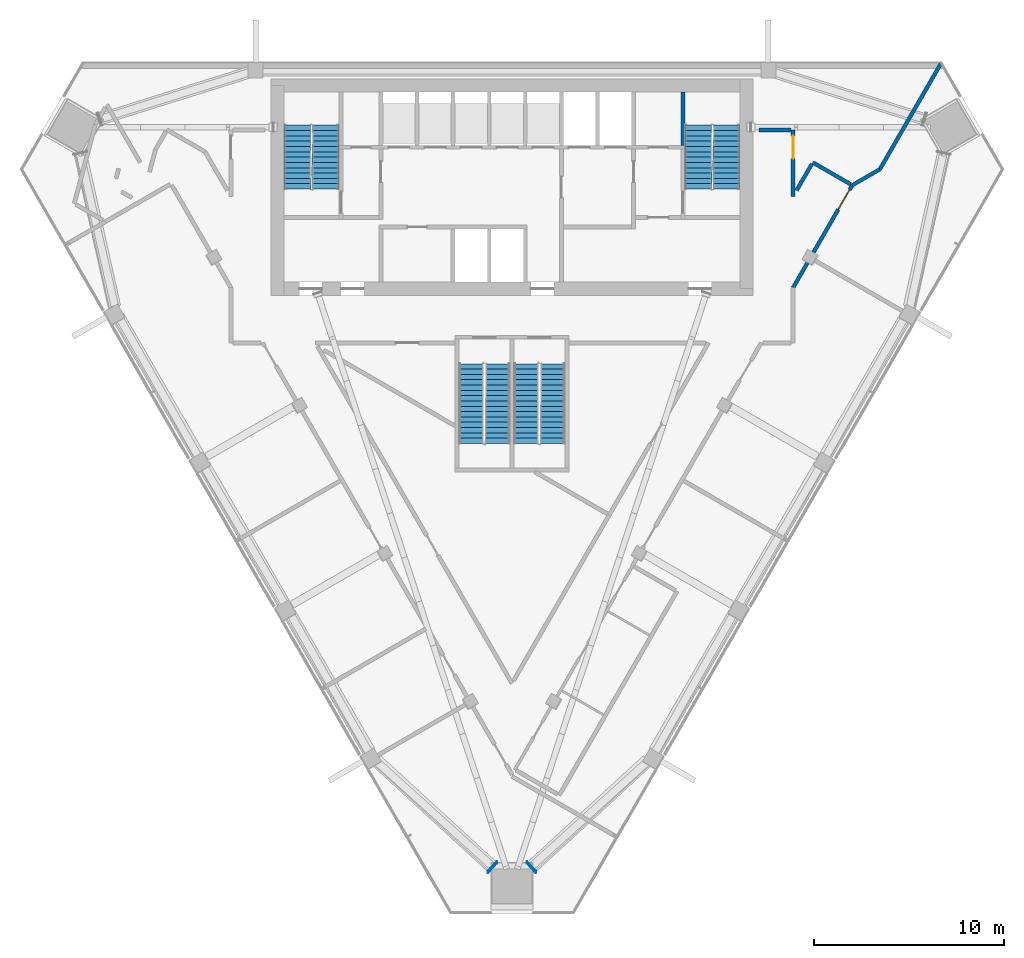
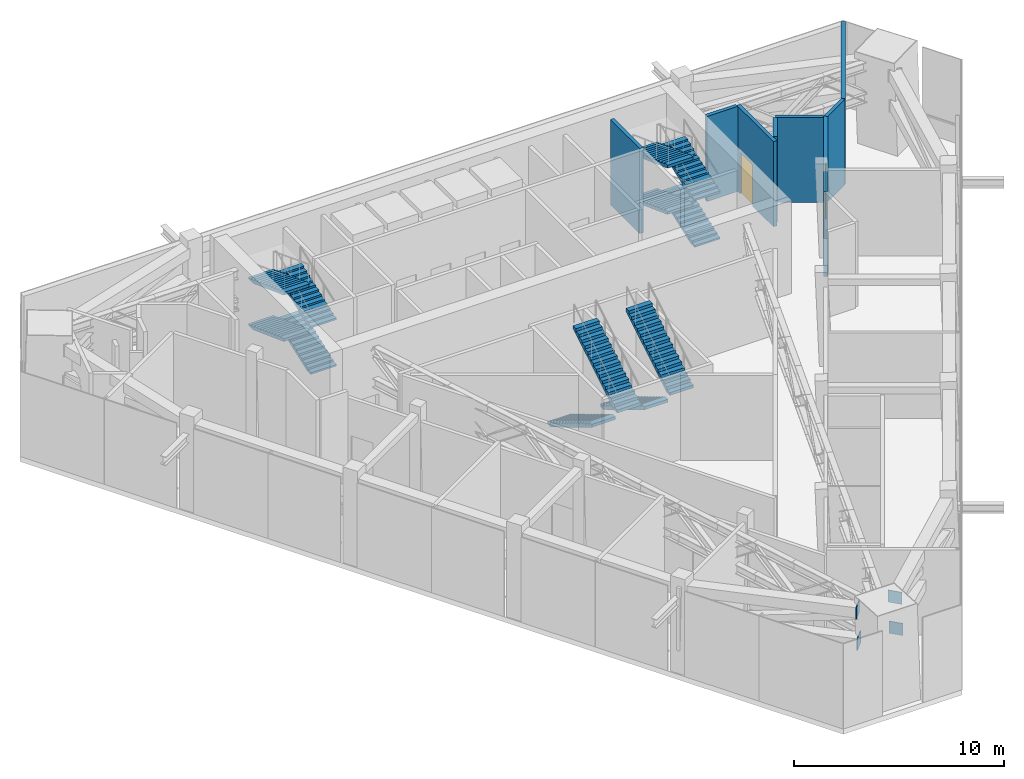
# One storey, part 11 of 14: 12 stair flights, 8 walls, 4 discrete accessories, 2 doors, 2 openings, 4 elements without a shape of their own.
"""IFC4 building model written with IfcOpenShell, lengths in metres."""

import ifcopenshell
import ifcopenshell.guid

model = None  # the IFC model being written
_history = None  # IfcOwnerHistory: only IFC2X3 demands one
_inside = {}  # id of a spatial element -> (the spatial element, [elements in it])
_under = {}  # id of a project, library or spatial element -> (it, [spatial elements below it])
_declared = {}  # id of a project -> (the project, [libraries it declares])
_typed = {}  # id of a type object -> (the type object, [elements of that type])
_made_of = {}  # id of a material, layer set ... -> (it, [elements and type objects made of it])


def new_model(schema):
    """Start an empty IFC model of exactly this schema.

    Asked for "IFC4X3", IfcOpenShell would pick the latest addendum, in which some entities
    have other attributes; the version numbers below select the first issue.
    IFC2X3 requires an IfcOwnerHistory on every rooted entity: one is made here for all.
    """
    global model, _history
    if schema == "IFC4X3":
        model = ifcopenshell.file(schema_version=(4, 3, 0, 0))
    else:
        model = ifcopenshell.file(schema=schema)
    _inside.clear()
    _under.clear()
    _declared.clear()
    _typed.clear()
    _made_of.clear()
    _history = None
    if model.schema == "IFC2X3":
        org = make("IfcOrganization", Name="unknown")
        user = make(
            "IfcPersonAndOrganization",
            ThePerson=make("IfcPerson", FamilyName="unknown"),
            TheOrganization=org,
        )
        app = make(
            "IfcApplication",
            ApplicationDeveloper=org,
            Version="unknown",
            ApplicationFullName="unknown",
            ApplicationIdentifier="unknown",
        )
        _history = make(
            "IfcOwnerHistory",
            OwningUser=user,
            OwningApplication=app,
            ChangeAction="ADDED",
            CreationDate=0,
        )
    return model


def make(cls, **values):
    """One entity of the class cls with the attributes given. An attribute that is None is left unset."""
    return model.create_entity(
        cls, **{name: value for name, value in values.items() if value is not None}
    )


def rooted(cls, **values):
    """An entity with a GlobalId (a new one), such as an element, a storey or a relation."""
    return make(cls, GlobalId=ifcopenshell.guid.new(), OwnerHistory=_history, **values)


def si_unit(unit_type, name, prefix=None):
    """IfcSIUnit, for example si_unit("LENGTHUNIT", "METRE", prefix="MILLI")."""
    return make("IfcSIUnit", UnitType=unit_type, Prefix=prefix, Name=name)


def assignment(units):
    """IfcUnitAssignment: the units of a project."""
    return None if units is None else make("IfcUnitAssignment", Units=units)


def point(xyz):
    """IfcCartesianPoint."""
    return None if xyz is None else make("IfcCartesianPoint", Coordinates=xyz)


def direction(xyz):
    """IfcDirection."""
    return None if xyz is None else make("IfcDirection", DirectionRatios=xyz)


def frame(location, z_axis=None, x_axis=None):
    """IfcAxis2Placement3D, a coordinate frame: its origin and axes. An axis left out is left unset."""
    return make(
        "IfcAxis2Placement3D",
        Location=point(location),
        Axis=direction(z_axis),
        RefDirection=direction(x_axis),
    )


def frame_2d(location, x_axis=None):
    """IfcAxis2Placement2D, a coordinate frame in the plane: its origin and x axis."""
    return make(
        "IfcAxis2Placement2D", Location=point(location), RefDirection=direction(x_axis)
    )


def origin():
    """The frame at (0, 0, 0) with its axes left unset."""
    return frame((0.0, 0.0, 0.0))


def origin_2d():
    """The frame at (0, 0) in the plane with its x axis left unset."""
    return frame_2d((0.0, 0.0))


def place(relative_to, where):
    """IfcLocalPlacement: puts the frame where relative to a parent placement (None: the world)."""
    return make(
        "IfcLocalPlacement", PlacementRelTo=relative_to, RelativePlacement=where
    )


def context(
    kind, dimensions, precision=None, world=None, true_north=None, identifier=None
):
    """IfcGeometricRepresentationContext, for example the 3D "Model" context."""
    return make(
        "IfcGeometricRepresentationContext",
        ContextIdentifier=identifier,
        ContextType=kind,
        CoordinateSpaceDimension=dimensions,
        Precision=precision,
        WorldCoordinateSystem=world,
        TrueNorth=true_north,
    )


def subcontext(parent, identifier, kind, view, scale=None):
    """IfcGeometricRepresentationSubContext, for example "Body" below "Model"."""
    return make(
        "IfcGeometricRepresentationSubContext",
        ContextIdentifier=identifier,
        ContextType=kind,
        ParentContext=parent,
        TargetScale=scale,
        TargetView=view,
    )


def project(units=None, contexts=None):
    """IfcProject with its units and contexts."""
    return rooted(
        "IfcProject",
        Name="project",
        RepresentationContexts=contexts,
        UnitsInContext=assignment(units),
    )


def spatial(cls, under=None, at=None, **own):
    """A site, building, storey or space (cls), placed at a placement, below another one or the project."""
    s = rooted(cls, ObjectPlacement=at, **own)
    if under is not None:
        _under.setdefault(under.id(), (under, []))[1].append(s)
    return s


def polyline(points):
    """IfcPolyline through the points."""
    return make("IfcPolyline", Points=[point(p) for p in points])


def profile(cls, at=None, kind="AREA", **sizes):
    """A parametric profile (cls). Its sizes go by their IFC names, for example OverallWidth=200.0."""
    return make(cls, ProfileType=kind, Position=at, **sizes)


def rectangle(**sizes):
    """IfcRectangleProfileDef."""
    return profile("IfcRectangleProfileDef", **sizes)


def outline(outer, holes=None, kind="AREA"):
    """IfcArbitraryClosedProfileDef: a profile drawn as a closed curve; with holes, ...WithVoids."""
    if holes is None:
        return make("IfcArbitraryClosedProfileDef", ProfileType=kind, OuterCurve=outer)
    return make(
        "IfcArbitraryProfileDefWithVoids",
        ProfileType=kind,
        OuterCurve=outer,
        InnerCurves=holes,
    )


def extrude(swept, where, along, depth):
    """IfcExtrudedAreaSolid: the profile swept, set in the frame where, extruded along a direction by depth."""
    return make(
        "IfcExtrudedAreaSolid",
        SweptArea=swept,
        Position=where,
        ExtrudedDirection=direction(along),
        Depth=depth,
    )


def shape(context_of_items, identifier, shape_type, items):
    """IfcShapeRepresentation: the items that make up one representation, for example the "Body"."""
    return make(
        "IfcShapeRepresentation",
        ContextOfItems=context_of_items,
        RepresentationIdentifier=identifier,
        RepresentationType=shape_type,
        Items=items,
    )


def material(Name=None, Category=None):
    """IfcMaterial."""
    return make("IfcMaterial", Name=Name, Category=Category)


def layer(
    of_material, thickness, ventilated=None, Name=None, Category=None, Priority=None
):
    """IfcMaterialLayer: one layer of a wall or slab, of a material (None: an air gap)."""
    return make(
        "IfcMaterialLayer",
        Material=of_material,
        LayerThickness=thickness,
        IsVentilated=ventilated,
        Name=Name,
        Category=Category,
        Priority=Priority,
    )


def layer_set(layers, Name=None):
    """IfcMaterialLayerSet."""
    return make("IfcMaterialLayerSet", MaterialLayers=layers, LayerSetName=Name)


def material_profile(
    of_material, cross_section, Name=None, Category=None, Priority=None
):
    """IfcMaterialProfile: a cross section and its material."""
    return make(
        "IfcMaterialProfile",
        Name=Name,
        Material=of_material,
        Profile=cross_section,
        Priority=Priority,
        Category=Category,
    )


def profile_set(profiles, Name=None, composite=None):
    """IfcMaterialProfileSet."""
    return make(
        "IfcMaterialProfileSet",
        Name=Name,
        MaterialProfiles=profiles,
        CompositeProfile=composite,
    )


def made_of(thing, what):
    """Note that an element or type object is made of a material, layer set ...; save() writes the relation."""
    if what is not None:
        _made_of.setdefault(what.id(), (what, []))[1].append(thing)
    return thing


def type_object(cls, material=None, **own):
    """A type object (cls), such as IfcWallType, which elements share."""
    return made_of(rooted(cls, **own), material)


def element(
    cls,
    number,
    at=None,
    inside=None,
    cuts=None,
    type_object=None,
    material=None,
    context=None,
    identifier="Body",
    shape_type=None,
    held_by="IfcProductDefinitionShape",
    body=None,
    shapes=None,
    **own,
):
    """One element of the class cls, such as IfcWall. Its Tag is "e" and its number.

    at: its placement. inside: the storey or other place that contains it. cuts: it is an
    opening in that element (IfcRelVoidsElement). A single representation is given by context,
    identifier, shape_type and body (its items); several are given by shapes. held_by: the class
    of the entity that holds the representations. save() writes the other relations.
    """
    e = rooted(cls, Tag="e%d" % number, ObjectPlacement=at, **own)
    if body is not None:
        shapes = [shape(context, identifier, shape_type, body)]
    if shapes is not None:
        e.Representation = make(held_by, Representations=shapes)
    if inside is not None:
        _inside.setdefault(inside.id(), (inside, []))[1].append(e)
    if cuts is not None:
        rooted(
            "IfcRelVoidsElement", RelatingBuildingElement=cuts, RelatedOpeningElement=e
        )
    if type_object is not None:
        _typed.setdefault(type_object.id(), (type_object, []))[1].append(e)
    return made_of(e, material)


def fill(opening, filler):
    """IfcRelFillsElement: the door or window that sits in an opening."""
    return rooted(
        "IfcRelFillsElement",
        RelatingOpeningElement=opening,
        RelatedBuildingElement=filler,
    )


def aggregate(whole, parts):
    """IfcRelAggregates: a whole, such as a stair, and the parts it consists of."""
    return rooted("IfcRelAggregates", RelatingObject=whole, RelatedObjects=parts)


def save(model, path):
    """Write the relations noted so far, then the file.

    IfcRelAggregates (storeys below a building ...), IfcRelContainedInSpatialStructure (elements
    in a storey), IfcRelDefinesByType, IfcRelAssociatesMaterial and IfcRelDeclares: one each for
    every whole, place, type object, material and project.
    """
    for whole, parts in _under.values():
        aggregate(whole, parts)
    for where, things in _inside.values():
        rooted(
            "IfcRelContainedInSpatialStructure",
            RelatedElements=things,
            RelatingStructure=where,
        )
    for kind, things in _typed.values():
        rooted("IfcRelDefinesByType", RelatedObjects=things, RelatingType=kind)
    for what, things in _made_of.values():
        rooted("IfcRelAssociatesMaterial", RelatedObjects=things, RelatingMaterial=what)
    for by, libraries in _declared.values():
        rooted("IfcRelDeclares", RelatingContext=by, RelatedDefinitions=libraries)
    model.write(path)


model = new_model("IFC4")

# Units and contexts
model_context = context("Model", 3, precision=1e-05, world=origin(), true_north=direction((0.0, 1.0)))
body_context = subcontext(model_context, "Body", "Model", "MODEL_VIEW")
ifc_project = project(units=[si_unit("LENGTHUNIT", "METRE"), si_unit("AREAUNIT", "SQUARE_METRE"), si_unit("VOLUMEUNIT", "CUBIC_METRE"), si_unit("PLANEANGLEUNIT", "RADIAN"), si_unit("MASSUNIT", "GRAM", prefix="KILO")], contexts=[model_context])

# Site, building, storey
site_placement = place(None, origin())
site = spatial("IfcSite", under=ifc_project, at=site_placement, CompositionType="ELEMENT")
building_placement = place(site_placement, origin())
building = spatial("IfcBuilding", under=site, at=building_placement, Name="Altiplano Prism Tower", CompositionType="ELEMENT")
storey_placement = place(building_placement, frame((0.0, 0.0, 189.0)))
storey = spatial("IfcBuildingStorey", under=building, at=storey_placement, Name="L49", CompositionType="ELEMENT", Elevation=189.0)

# Wall, opening, door
ifc_material_1 = material(Name="Plasterboard on steel stud", Category="steel")
ifc_layer_1 = layer(ifc_material_1, 0.199951171875)
ifc_layer_set_1 = layer_set([ifc_layer_1], Name="Plasterboard on steel stud")
wall_type_1 = type_object("IfcWallType", Name="Partition 200 plant", PredefinedType="PARTITIONING", material=ifc_layer_set_1)
wall_1_placement = place(storey_placement, frame((99.800048828125, 93.103515625, 0.0), z_axis=(0.0, 0.0, 1.0), x_axis=(0.500007335828, 0.866021168401, 0.0)))
wall_1 = element("IfcWall", 1, at=wall_1_placement, inside=storey, type_object=wall_type_1, Name="Partition P04 L49 009", PredefinedType="PARTITIONING", context=body_context, shape_type="SweptSolid", body=[
    extrude(rectangle(XDim=6.2314453125, YDim=0.199951171875, at=frame_2d((3.11572265625, 0.0))), origin(), (0.0, 0.0, 1.0), 4.949951171875),
])
opening_1_placement = place(wall_1_placement, frame((4.7548828125, 0.0, 0.0)))
opening_1 = element("IfcOpeningElement", 2, at=opening_1_placement, cuts=wall_1, Name="Opening D1728", PredefinedType="OPENING", context=body_context, shape_type="SweptSolid", body=[
    extrude(rectangle(XDim=1.199951171875, YDim=2.39990234375, at=frame_2d((0.60009765625, 1.199951171875))), frame((0.0, 0.1103515625, 0.0), z_axis=(0.0, -1.0, 0.0), x_axis=(1.0, 0.0, 0.0)), (0.0, 0.0, 1.0), 0.220947265625),
])
ifc_material_2 = material(Name="Painted steel door leaf", Category="steel")
door_type_1 = type_object("IfcDoorType", Name="Plant room door 1200 x 2400", OperationType="NOTDEFINED", PredefinedType="NOTDEFINED", material=ifc_material_2)
door_1_placement = place(opening_1_placement, origin())
door_1 = element("IfcDoor", 3, at=door_1_placement, inside=storey, type_object=door_type_1, Name="Door D1728", OperationType="SINGLE_SWING_RIGHT", OverallHeight=2.39990234375, OverallWidth=1.199951171875, PredefinedType="NOTDEFINED", context=body_context, shape_type="SweptSolid", body=[
    extrude(rectangle(XDim=1.199951171875, YDim=2.39990234375, at=frame_2d((0.60009765625, 1.199951171875))), frame((0.0, 0.02490234375, 0.0), z_axis=(0.0, -1.0, 0.0), x_axis=(1.0, 0.0, 0.0)), (0.0, 0.0, 1.0), 0.050048828125),
])
fill(opening_1, door_1)

# Walls
ifc_layer_2 = layer(ifc_material_1, 0.199951171875)
ifc_layer_set_2 = layer_set([ifc_layer_2], Name="Plasterboard on steel stud")
wall_type_2 = type_object("IfcWallType", Name="Partition 200 refuge", PredefinedType="PARTITIONING", material=ifc_layer_set_2)
wall_2_placement = place(storey_placement, frame((102.82958984375, 98.55078125, 0.0), z_axis=(0.0, 0.0, 1.0), x_axis=(-0.866060120656, 0.499939863793, 0.0)))
element("IfcWall", 4, at=wall_2_placement, inside=storey, type_object=wall_type_2, Name="Partition P05 L49 010", PredefinedType="PARTITIONING", context=body_context, shape_type="SweptSolid", body=[
    extrude(rectangle(XDim=2.300537109375, YDim=0.199951171875, at=frame_2d((1.150390625, 0.0))), origin(), (0.0, 0.0, 1.0), 4.949951171875),
])
wall_3_placement = place(storey_placement, frame((100.787109375, 99.614501953125, 0.0), z_axis=(0.0, 0.0, 1.0), x_axis=(-0.500163094741, -0.865931220513, 0.0)))
element("IfcWall", 5, at=wall_3_placement, inside=storey, type_object=wall_type_2, Name="Partition P05 L49 011", PredefinedType="PARTITIONING", context=body_context, shape_type="SweptSolid", body=[
    extrude(rectangle(XDim=1.5986328125, YDim=0.199951171875, at=frame_2d((0.79931640625, 0.0))), origin(), (0.0, 0.0, 1.0), 4.949951171875),
])

# Wall, opening, door
wall_4_placement = place(storey_placement, frame((99.801025390625, 97.9072265625, 0.0), z_axis=(0.0, 0.0, 1.0), x_axis=(-6.989097e-05, 0.999999997558, 0.0)))
wall_4 = element("IfcWall", 6, at=wall_4_placement, inside=storey, type_object=wall_type_2, Name="Partition P05 L49 012", PredefinedType="PARTITIONING", context=body_context, shape_type="SweptSolid", body=[
    extrude(rectangle(XDim=3.4931640625, YDim=0.199951171875, at=frame_2d((1.74658203125, 0.0))), origin(), (0.0, 0.0, 1.0), 4.949951171875),
])
opening_2_placement = place(wall_4_placement, frame((1.9951171875, 0.0, 0.0)))
opening_2 = element("IfcOpeningElement", 7, at=opening_2_placement, cuts=wall_4, Name="Opening D1729", PredefinedType="OPENING", context=body_context, shape_type="SweptSolid", body=[
    extrude(rectangle(XDim=1.199951171875, YDim=2.39990234375, at=frame_2d((0.60009765625, 1.199951171875))), frame((0.0, 0.1103515625, 0.0), z_axis=(0.0, -1.0, 0.0), x_axis=(1.0, 0.0, 0.0)), (0.0, 0.0, 1.0), 0.220947265625),
])
door_type_2 = type_object("IfcDoorType", Name="Refuge area door 1200 x 2400", OperationType="NOTDEFINED", PredefinedType="NOTDEFINED", material=ifc_material_2)
door_2_placement = place(opening_2_placement, origin())
door_2 = element("IfcDoor", 8, at=door_2_placement, inside=storey, type_object=door_type_2, Name="Door D1729", OperationType="SINGLE_SWING_RIGHT", OverallHeight=2.39990234375, OverallWidth=1.199951171875, PredefinedType="NOTDEFINED", context=body_context, shape_type="SweptSolid", body=[
    extrude(rectangle(XDim=1.199951171875, YDim=2.39990234375, at=frame_2d((0.60009765625, 1.199951171875))), frame((0.0, 0.02490234375, 0.0), z_axis=(0.0, -1.0, 0.0), x_axis=(1.0, 0.0, 0.0)), (0.0, 0.0, 1.0), 0.050048828125),
])
fill(opening_2, door_2)

# Walls
wall_5_placement = place(storey_placement, frame((99.700927734375, 101.400390625, 0.0), z_axis=(0.0, 0.0, 1.0), x_axis=(-0.999999958796, 0.000287067593, 0.0)))
element("IfcWall", 9, at=wall_5_placement, inside=storey, type_object=wall_type_2, Name="Partition P05 L49 013", PredefinedType="PARTITIONING", context=body_context, shape_type="SweptSolid", body=[
    extrude(rectangle(XDim=1.700927734375, YDim=0.199951171875, at=frame_2d((0.8505859375, 0.0))), origin(), (0.0, 0.0, 1.0), 4.949951171875),
])
wall_6_placement = place(storey_placement, frame((107.579833984375, 104.89990234375, 0.0), z_axis=(0.0, 0.0, 1.0), x_axis=(-0.500007707388, -0.866020953876, 0.0)))
element("IfcWall", 10, at=wall_6_placement, inside=storey, type_object=wall_type_2, Name="Partition P05 L49 042", PredefinedType="PARTITIONING", context=body_context, shape_type="SweptSolid", body=[
    extrude(rectangle(XDim=6.4208984375, YDim=0.199951171875, at=frame_2d((3.21044921875, 0.0))), origin(), (0.0, 0.0, 1.0), 4.949951171875),
])
wall_7_placement = place(storey_placement, frame((104.369384765625, 99.33935546875, 0.0), z_axis=(0.0, 0.0, 1.0), x_axis=(-0.865977131537, -0.500083600666, 0.0)))
element("IfcWall", 11, at=wall_7_placement, inside=storey, type_object=wall_type_2, Name="Partition P05 L49 043", PredefinedType="PARTITIONING", context=body_context, shape_type="SweptSolid", body=[
    extrude(rectangle(XDim=1.677490234375, YDim=0.199951171875, at=frame_2d((0.8388671875, 0.0))), origin(), (0.0, 0.0, 1.0), 4.949951171875),
])
ifc_material_3 = material(Name="Concrete C60/75", Category="concrete")
ifc_layer_3 = layer(ifc_material_3, 0.199951171875)
ifc_layer_set_3 = layer_set([ifc_layer_3], Name="Concrete C60/75")
wall_type_3 = type_object("IfcWallType", Name="Stair wall 200", PredefinedType="SOLIDWALL", material=ifc_layer_set_3)
wall_8_placement = place(storey_placement, frame((94.0, 100.60009765625, 0.0), z_axis=(0.0, 0.0, 1.0), x_axis=(0.0, 1.0, 0.0)))
element("IfcWall", 12, at=wall_8_placement, inside=storey, type_object=wall_type_3, Name="Stair wall L49", PredefinedType="SOLIDWALL", context=body_context, shape_type="SweptSolid", body=[
    extrude(rectangle(XDim=2.7998046875, YDim=0.199951171875, at=frame_2d((1.39990234375, 0.0))), origin(), (0.0, 0.0, 1.0), 4.949951171875),
])

# Stair, stair flights
ifc_material_4 = material(Name="Concrete C40/50", Category="concrete")
stair_type_1 = type_object("IfcStairType", Name="Exit stair 1400", PredefinedType="HALF_TURN_STAIR", material=ifc_material_4)
stair_1_placement = place(storey_placement, origin())
stair_1 = element("IfcStair", 13, at=stair_1_placement, inside=storey, type_object=stair_type_1, Name="L49 Exit Stair 1", PredefinedType="HALF_TURN_STAIR")
stair_flight_type = type_object("IfcStairFlightType", Name="Stair flight concrete 150", PredefinedType="STRAIGHT", material=ifc_material_4)
stair_flight_1_placement = place(storey_placement, frame((75.199951171875, 98.300048828125, 0.0), z_axis=(0.0, 0.0, 1.0), x_axis=(0.0, 1.0, 0.0)))
stair_flight_1 = element("IfcStairFlight", 14, at=stair_flight_1_placement, type_object=stair_flight_type, Name="ST1 flight 1", NumberOfRisers=13, NumberOfTreads=12, PredefinedType="STRAIGHT", RiserHeight=0.103846154, TreadLength=0.28, context=body_context, shape_type="SweptSolid", body=[
    extrude(outline(polyline([(0.0, 0.0), (0.0, 0.103759765625), (0.280029296875, 0.103759765625), (0.280029296875, 0.207763671875), (0.56005859375, 0.207763671875), (0.56005859375, 0.3115234375), (0.840087890625, 0.3115234375), (0.840087890625, 0.415283203125), (1.1201171875, 0.415283203125), (1.1201171875, 0.519287109375), (1.39990234375, 0.519287109375), (1.39990234375, 0.623046875), (1.679931640625, 0.623046875), (1.679931640625, 0.726806640625), (1.9599609375, 0.726806640625), (1.9599609375, 0.830810546875), (2.239990234375, 0.830810546875), (2.239990234375, 0.9345703125), (2.52001953125, 0.9345703125), (2.52001953125, 1.03857421875), (2.800048828125, 1.03857421875), (2.800048828125, 1.142333984375), (3.080078125, 1.142333984375), (3.080078125, 1.24609375), (3.360107421875, 1.24609375), (3.360107421875, 1.35009765625), (3.360107421875, 1.086181640625), (0.43115234375, 0.0), (0.0, 0.0)])), frame((0.0, 0.699951171875, 0.0), z_axis=(0.0, -1.0, 0.0), x_axis=(1.0, 0.0, 0.0)), (0.0, 0.0, 1.0), 1.39990234375),
])
stair_flight_2_placement = place(storey_placement, frame((73.699951171875, 101.659912109375, 1.35009765625), z_axis=(0.0, 0.0, 1.0), x_axis=(0.0, -1.0, 0.0)))
stair_flight_2 = element("IfcStairFlight", 15, at=stair_flight_2_placement, type_object=stair_flight_type, Name="ST1 flight 2", NumberOfRisers=13, NumberOfTreads=12, PredefinedType="STRAIGHT", RiserHeight=0.103846154, TreadLength=0.28, context=body_context, shape_type="SweptSolid", body=[
    extrude(outline(polyline([(0.0, 0.0), (0.0, 0.103759765625), (0.280029296875, 0.103759765625), (0.280029296875, 0.207763671875), (0.56005859375, 0.207763671875), (0.56005859375, 0.3115234375), (0.840087890625, 0.3115234375), (0.840087890625, 0.415283203125), (1.1201171875, 0.415283203125), (1.1201171875, 0.519287109375), (1.39990234375, 0.519287109375), (1.39990234375, 0.623046875), (1.679931640625, 0.623046875), (1.679931640625, 0.726806640625), (1.9599609375, 0.726806640625), (1.9599609375, 0.830810546875), (2.239990234375, 0.830810546875), (2.239990234375, 0.9345703125), (2.52001953125, 0.9345703125), (2.52001953125, 1.03857421875), (2.800048828125, 1.03857421875), (2.800048828125, 1.142333984375), (3.080078125, 1.142333984375), (3.080078125, 1.24609375), (3.360107421875, 1.24609375), (3.360107421875, 1.35009765625), (3.360107421875, 1.086181640625), (0.43115234375, 0.0), (0.0, 0.0)])), frame((0.0, 0.699951171875, 0.0), z_axis=(0.0, -1.0, 0.0), x_axis=(1.0, 0.0, 0.0)), (0.0, 0.0, 1.0), 1.39990234375),
])
stair_flight_3_placement = place(storey_placement, frame((75.199951171875, 98.300048828125, 2.699951171875), z_axis=(0.0, 0.0, 1.0), x_axis=(0.0, 1.0, 0.0)))
stair_flight_3 = element("IfcStairFlight", 16, at=stair_flight_3_placement, type_object=stair_flight_type, Name="ST1 flight 3", NumberOfRisers=13, NumberOfTreads=12, PredefinedType="STRAIGHT", RiserHeight=0.103846154, TreadLength=0.28, context=body_context, shape_type="SweptSolid", body=[
    extrude(outline(polyline([(0.0, 0.0), (0.0, 0.103759765625), (0.280029296875, 0.103759765625), (0.280029296875, 0.207763671875), (0.56005859375, 0.207763671875), (0.56005859375, 0.3115234375), (0.840087890625, 0.3115234375), (0.840087890625, 0.415283203125), (1.1201171875, 0.415283203125), (1.1201171875, 0.519287109375), (1.39990234375, 0.519287109375), (1.39990234375, 0.623046875), (1.679931640625, 0.623046875), (1.679931640625, 0.726806640625), (1.9599609375, 0.726806640625), (1.9599609375, 0.830810546875), (2.239990234375, 0.830810546875), (2.239990234375, 0.9345703125), (2.52001953125, 0.9345703125), (2.52001953125, 1.03857421875), (2.800048828125, 1.03857421875), (2.800048828125, 1.142333984375), (3.080078125, 1.142333984375), (3.080078125, 1.24609375), (3.360107421875, 1.24609375), (3.360107421875, 1.35009765625), (3.360107421875, 1.086181640625), (0.43115234375, 0.0), (0.0, 0.0)])), frame((0.0, 0.699951171875, 0.0), z_axis=(0.0, -1.0, 0.0), x_axis=(1.0, 0.0, 0.0)), (0.0, 0.0, 1.0), 1.39990234375),
])
stair_flight_4_placement = place(storey_placement, frame((73.699951171875, 101.659912109375, 4.050048828125), z_axis=(0.0, 0.0, 1.0), x_axis=(0.0, -1.0, 0.0)))
stair_flight_4 = element("IfcStairFlight", 17, at=stair_flight_4_placement, type_object=stair_flight_type, Name="ST1 flight 4", NumberOfRisers=13, NumberOfTreads=12, PredefinedType="STRAIGHT", RiserHeight=0.103846154, TreadLength=0.28, context=body_context, shape_type="SweptSolid", body=[
    extrude(outline(polyline([(0.0, 0.0), (0.0, 0.103759765625), (0.280029296875, 0.103759765625), (0.280029296875, 0.207763671875), (0.56005859375, 0.207763671875), (0.56005859375, 0.3115234375), (0.840087890625, 0.3115234375), (0.840087890625, 0.415283203125), (1.1201171875, 0.415283203125), (1.1201171875, 0.519287109375), (1.39990234375, 0.519287109375), (1.39990234375, 0.623046875), (1.679931640625, 0.623046875), (1.679931640625, 0.726806640625), (1.9599609375, 0.726806640625), (1.9599609375, 0.830810546875), (2.239990234375, 0.830810546875), (2.239990234375, 0.9345703125), (2.52001953125, 0.9345703125), (2.52001953125, 1.03857421875), (2.800048828125, 1.03857421875), (2.800048828125, 1.142333984375), (3.080078125, 1.142333984375), (3.080078125, 1.24609375), (3.360107421875, 1.24609375), (3.360107421875, 1.35009765625), (3.360107421875, 1.086181640625), (0.43115234375, 0.0), (0.0, 0.0)])), frame((0.0, 0.699951171875, 0.0), z_axis=(0.0, -1.0, 0.0), x_axis=(1.0, 0.0, 0.0)), (0.0, 0.0, 1.0), 1.39990234375),
])
aggregate(stair_1, [stair_flight_1, stair_flight_2, stair_flight_3, stair_flight_4])

stair_2_placement = place(storey_placement, origin())
stair_2 = element("IfcStair", 18, at=stair_2_placement, inside=storey, type_object=stair_type_1, Name="L49 Exit Stair 2", PredefinedType="HALF_TURN_STAIR")
stair_flight_5_placement = place(storey_placement, frame((96.300048828125, 98.300048828125, 0.0), z_axis=(0.0, 0.0, 1.0), x_axis=(0.0, 1.0, 0.0)))
stair_flight_5 = element("IfcStairFlight", 19, at=stair_flight_5_placement, type_object=stair_flight_type, Name="ST2 flight 1", NumberOfRisers=13, NumberOfTreads=12, PredefinedType="STRAIGHT", RiserHeight=0.103846154, TreadLength=0.28, context=body_context, shape_type="SweptSolid", body=[
    extrude(outline(polyline([(0.0, 0.0), (0.0, 0.103759765625), (0.280029296875, 0.103759765625), (0.280029296875, 0.207763671875), (0.56005859375, 0.207763671875), (0.56005859375, 0.3115234375), (0.840087890625, 0.3115234375), (0.840087890625, 0.415283203125), (1.1201171875, 0.415283203125), (1.1201171875, 0.519287109375), (1.39990234375, 0.519287109375), (1.39990234375, 0.623046875), (1.679931640625, 0.623046875), (1.679931640625, 0.726806640625), (1.9599609375, 0.726806640625), (1.9599609375, 0.830810546875), (2.239990234375, 0.830810546875), (2.239990234375, 0.9345703125), (2.52001953125, 0.9345703125), (2.52001953125, 1.03857421875), (2.800048828125, 1.03857421875), (2.800048828125, 1.142333984375), (3.080078125, 1.142333984375), (3.080078125, 1.24609375), (3.360107421875, 1.24609375), (3.360107421875, 1.35009765625), (3.360107421875, 1.086181640625), (0.43115234375, 0.0), (0.0, 0.0)])), frame((0.0, 0.699951171875, 0.0), z_axis=(0.0, -1.0, 0.0), x_axis=(1.0, 0.0, 0.0)), (0.0, 0.0, 1.0), 1.39990234375),
])
stair_flight_6_placement = place(storey_placement, frame((94.800048828125, 101.659912109375, 1.35009765625), z_axis=(0.0, 0.0, 1.0), x_axis=(0.0, -1.0, 0.0)))
stair_flight_6 = element("IfcStairFlight", 20, at=stair_flight_6_placement, type_object=stair_flight_type, Name="ST2 flight 2", NumberOfRisers=13, NumberOfTreads=12, PredefinedType="STRAIGHT", RiserHeight=0.103846154, TreadLength=0.28, context=body_context, shape_type="SweptSolid", body=[
    extrude(outline(polyline([(0.0, 0.0), (0.0, 0.103759765625), (0.280029296875, 0.103759765625), (0.280029296875, 0.207763671875), (0.56005859375, 0.207763671875), (0.56005859375, 0.3115234375), (0.840087890625, 0.3115234375), (0.840087890625, 0.415283203125), (1.1201171875, 0.415283203125), (1.1201171875, 0.519287109375), (1.39990234375, 0.519287109375), (1.39990234375, 0.623046875), (1.679931640625, 0.623046875), (1.679931640625, 0.726806640625), (1.9599609375, 0.726806640625), (1.9599609375, 0.830810546875), (2.239990234375, 0.830810546875), (2.239990234375, 0.9345703125), (2.52001953125, 0.9345703125), (2.52001953125, 1.03857421875), (2.800048828125, 1.03857421875), (2.800048828125, 1.142333984375), (3.080078125, 1.142333984375), (3.080078125, 1.24609375), (3.360107421875, 1.24609375), (3.360107421875, 1.35009765625), (3.360107421875, 1.086181640625), (0.43115234375, 0.0), (0.0, 0.0)])), frame((0.0, 0.699951171875, 0.0), z_axis=(0.0, -1.0, 0.0), x_axis=(1.0, 0.0, 0.0)), (0.0, 0.0, 1.0), 1.39990234375),
])
stair_flight_7_placement = place(storey_placement, frame((96.300048828125, 98.300048828125, 2.699951171875), z_axis=(0.0, 0.0, 1.0), x_axis=(0.0, 1.0, 0.0)))
stair_flight_7 = element("IfcStairFlight", 21, at=stair_flight_7_placement, type_object=stair_flight_type, Name="ST2 flight 3", NumberOfRisers=13, NumberOfTreads=12, PredefinedType="STRAIGHT", RiserHeight=0.103846154, TreadLength=0.28, context=body_context, shape_type="SweptSolid", body=[
    extrude(outline(polyline([(0.0, 0.0), (0.0, 0.103759765625), (0.280029296875, 0.103759765625), (0.280029296875, 0.207763671875), (0.56005859375, 0.207763671875), (0.56005859375, 0.3115234375), (0.840087890625, 0.3115234375), (0.840087890625, 0.415283203125), (1.1201171875, 0.415283203125), (1.1201171875, 0.519287109375), (1.39990234375, 0.519287109375), (1.39990234375, 0.623046875), (1.679931640625, 0.623046875), (1.679931640625, 0.726806640625), (1.9599609375, 0.726806640625), (1.9599609375, 0.830810546875), (2.239990234375, 0.830810546875), (2.239990234375, 0.9345703125), (2.52001953125, 0.9345703125), (2.52001953125, 1.03857421875), (2.800048828125, 1.03857421875), (2.800048828125, 1.142333984375), (3.080078125, 1.142333984375), (3.080078125, 1.24609375), (3.360107421875, 1.24609375), (3.360107421875, 1.35009765625), (3.360107421875, 1.086181640625), (0.43115234375, 0.0), (0.0, 0.0)])), frame((0.0, 0.699951171875, 0.0), z_axis=(0.0, -1.0, 0.0), x_axis=(1.0, 0.0, 0.0)), (0.0, 0.0, 1.0), 1.39990234375),
])
stair_flight_8_placement = place(storey_placement, frame((94.800048828125, 101.659912109375, 4.050048828125), z_axis=(0.0, 0.0, 1.0), x_axis=(0.0, -1.0, 0.0)))
stair_flight_8 = element("IfcStairFlight", 22, at=stair_flight_8_placement, type_object=stair_flight_type, Name="ST2 flight 4", NumberOfRisers=13, NumberOfTreads=12, PredefinedType="STRAIGHT", RiserHeight=0.103846154, TreadLength=0.28, context=body_context, shape_type="SweptSolid", body=[
    extrude(outline(polyline([(0.0, 0.0), (0.0, 0.103759765625), (0.280029296875, 0.103759765625), (0.280029296875, 0.207763671875), (0.56005859375, 0.207763671875), (0.56005859375, 0.3115234375), (0.840087890625, 0.3115234375), (0.840087890625, 0.415283203125), (1.1201171875, 0.415283203125), (1.1201171875, 0.519287109375), (1.39990234375, 0.519287109375), (1.39990234375, 0.623046875), (1.679931640625, 0.623046875), (1.679931640625, 0.726806640625), (1.9599609375, 0.726806640625), (1.9599609375, 0.830810546875), (2.239990234375, 0.830810546875), (2.239990234375, 0.9345703125), (2.52001953125, 0.9345703125), (2.52001953125, 1.03857421875), (2.800048828125, 1.03857421875), (2.800048828125, 1.142333984375), (3.080078125, 1.142333984375), (3.080078125, 1.24609375), (3.360107421875, 1.24609375), (3.360107421875, 1.35009765625), (3.360107421875, 1.086181640625), (0.43115234375, 0.0), (0.0, 0.0)])), frame((0.0, 0.699951171875, 0.0), z_axis=(0.0, -1.0, 0.0), x_axis=(1.0, 0.0, 0.0)), (0.0, 0.0, 1.0), 1.39990234375),
])
aggregate(stair_2, [stair_flight_5, stair_flight_6, stair_flight_7, stair_flight_8])

stair_type_2 = type_object("IfcStairType", Name="Exit stair 1300", PredefinedType="HALF_TURN_STAIR", material=ifc_material_4)
stair_3_placement = place(storey_placement, origin())
stair_3 = element("IfcStair", 23, at=stair_3_placement, inside=storey, type_object=stair_type_2, Name="L49 Exit Stair 3A", PredefinedType="HALF_TURN_STAIR")
stair_flight_9_placement = place(storey_placement, frame((82.85009765625, 89.10009765625, 0.0), z_axis=(0.0, 0.0, 1.0), x_axis=(0.0, -1.0, 0.0)))
stair_flight_9 = element("IfcStairFlight", 24, at=stair_flight_9_placement, type_object=stair_flight_type, Name="ST3A flight 1", NumberOfRisers=16, NumberOfTreads=15, PredefinedType="STRAIGHT", RiserHeight=0.16875, TreadLength=0.28, context=body_context, shape_type="SweptSolid", body=[
    extrude(outline(polyline([(0.0, 0.0), (0.0, 0.168701171875), (0.280029296875, 0.168701171875), (0.280029296875, 0.33740234375), (0.56005859375, 0.33740234375), (0.56005859375, 0.50634765625), (0.840087890625, 0.50634765625), (0.840087890625, 0.675048828125), (1.1201171875, 0.675048828125), (1.1201171875, 0.84375), (1.39990234375, 0.84375), (1.39990234375, 1.012451171875), (1.679931640625, 1.012451171875), (1.679931640625, 1.18115234375), (1.9599609375, 1.18115234375), (1.9599609375, 1.35009765625), (2.239990234375, 1.35009765625), (2.239990234375, 1.518798828125), (2.52001953125, 1.518798828125), (2.52001953125, 1.6875), (2.800048828125, 1.6875), (2.800048828125, 1.856201171875), (3.080078125, 1.856201171875), (3.080078125, 2.02490234375), (3.360107421875, 2.02490234375), (3.360107421875, 2.19384765625), (3.639892578125, 2.19384765625), (3.639892578125, 2.362548828125), (3.919921875, 2.362548828125), (3.919921875, 2.53125), (4.199951171875, 2.53125), (4.199951171875, 2.699951171875), (4.199951171875, 2.356201171875), (0.29052734375, 0.0), (0.0, 0.0)])), frame((0.0, 0.64990234375, 0.0), z_axis=(0.0, -1.0, 0.0), x_axis=(1.0, 0.0, 0.0)), (0.0, 0.0, 1.0), 1.300048828125),
])
stair_flight_10_placement = place(storey_placement, frame((84.25, 84.89990234375, 2.699951171875), z_axis=(0.0, 0.0, 1.0), x_axis=(0.0, 1.0, 0.0)))
stair_flight_10 = element("IfcStairFlight", 25, at=stair_flight_10_placement, type_object=stair_flight_type, Name="ST3A flight 2", NumberOfRisers=16, NumberOfTreads=15, PredefinedType="STRAIGHT", RiserHeight=0.16875, TreadLength=0.28, context=body_context, shape_type="SweptSolid", body=[
    extrude(outline(polyline([(0.0, 0.0), (0.0, 0.168701171875), (0.280029296875, 0.168701171875), (0.280029296875, 0.33740234375), (0.56005859375, 0.33740234375), (0.56005859375, 0.50634765625), (0.840087890625, 0.50634765625), (0.840087890625, 0.675048828125), (1.1201171875, 0.675048828125), (1.1201171875, 0.84375), (1.39990234375, 0.84375), (1.39990234375, 1.012451171875), (1.679931640625, 1.012451171875), (1.679931640625, 1.18115234375), (1.9599609375, 1.18115234375), (1.9599609375, 1.35009765625), (2.239990234375, 1.35009765625), (2.239990234375, 1.518798828125), (2.52001953125, 1.518798828125), (2.52001953125, 1.6875), (2.800048828125, 1.6875), (2.800048828125, 1.856201171875), (3.080078125, 1.856201171875), (3.080078125, 2.02490234375), (3.360107421875, 2.02490234375), (3.360107421875, 2.19384765625), (3.639892578125, 2.19384765625), (3.639892578125, 2.362548828125), (3.919921875, 2.362548828125), (3.919921875, 2.53125), (4.199951171875, 2.53125), (4.199951171875, 2.699951171875), (4.199951171875, 2.356201171875), (0.29052734375, 0.0), (0.0, 0.0)])), frame((0.0, 0.64990234375, 0.0), z_axis=(0.0, -1.0, 0.0), x_axis=(1.0, 0.0, 0.0)), (0.0, 0.0, 1.0), 1.300048828125),
])
aggregate(stair_3, [stair_flight_9, stair_flight_10])

stair_4_placement = place(storey_placement, origin())
stair_4 = element("IfcStair", 26, at=stair_4_placement, inside=storey, type_object=stair_type_2, Name="L49 Exit Stair 3B", PredefinedType="HALF_TURN_STAIR")
stair_flight_11_placement = place(storey_placement, frame((85.75, 89.10009765625, 0.0), z_axis=(0.0, 0.0, 1.0), x_axis=(0.0, -1.0, 0.0)))
stair_flight_11 = element("IfcStairFlight", 27, at=stair_flight_11_placement, type_object=stair_flight_type, Name="ST3B flight 1", NumberOfRisers=16, NumberOfTreads=15, PredefinedType="STRAIGHT", RiserHeight=0.16875, TreadLength=0.28, context=body_context, shape_type="SweptSolid", body=[
    extrude(outline(polyline([(0.0, 0.0), (0.0, 0.168701171875), (0.280029296875, 0.168701171875), (0.280029296875, 0.33740234375), (0.56005859375, 0.33740234375), (0.56005859375, 0.50634765625), (0.840087890625, 0.50634765625), (0.840087890625, 0.675048828125), (1.1201171875, 0.675048828125), (1.1201171875, 0.84375), (1.39990234375, 0.84375), (1.39990234375, 1.012451171875), (1.679931640625, 1.012451171875), (1.679931640625, 1.18115234375), (1.9599609375, 1.18115234375), (1.9599609375, 1.35009765625), (2.239990234375, 1.35009765625), (2.239990234375, 1.518798828125), (2.52001953125, 1.518798828125), (2.52001953125, 1.6875), (2.800048828125, 1.6875), (2.800048828125, 1.856201171875), (3.080078125, 1.856201171875), (3.080078125, 2.02490234375), (3.360107421875, 2.02490234375), (3.360107421875, 2.19384765625), (3.639892578125, 2.19384765625), (3.639892578125, 2.362548828125), (3.919921875, 2.362548828125), (3.919921875, 2.53125), (4.199951171875, 2.53125), (4.199951171875, 2.699951171875), (4.199951171875, 2.356201171875), (0.29052734375, 0.0), (0.0, 0.0)])), frame((0.0, 0.64990234375, 0.0), z_axis=(0.0, -1.0, 0.0), x_axis=(1.0, 0.0, 0.0)), (0.0, 0.0, 1.0), 1.300048828125),
])
stair_flight_12_placement = place(storey_placement, frame((87.14990234375, 84.89990234375, 2.699951171875), z_axis=(0.0, 0.0, 1.0), x_axis=(0.0, 1.0, 0.0)))
stair_flight_12 = element("IfcStairFlight", 28, at=stair_flight_12_placement, type_object=stair_flight_type, Name="ST3B flight 2", NumberOfRisers=16, NumberOfTreads=15, PredefinedType="STRAIGHT", RiserHeight=0.16875, TreadLength=0.28, context=body_context, shape_type="SweptSolid", body=[
    extrude(outline(polyline([(0.0, 0.0), (0.0, 0.168701171875), (0.280029296875, 0.168701171875), (0.280029296875, 0.33740234375), (0.56005859375, 0.33740234375), (0.56005859375, 0.50634765625), (0.840087890625, 0.50634765625), (0.840087890625, 0.675048828125), (1.1201171875, 0.675048828125), (1.1201171875, 0.84375), (1.39990234375, 0.84375), (1.39990234375, 1.012451171875), (1.679931640625, 1.012451171875), (1.679931640625, 1.18115234375), (1.9599609375, 1.18115234375), (1.9599609375, 1.35009765625), (2.239990234375, 1.35009765625), (2.239990234375, 1.518798828125), (2.52001953125, 1.518798828125), (2.52001953125, 1.6875), (2.800048828125, 1.6875), (2.800048828125, 1.856201171875), (3.080078125, 1.856201171875), (3.080078125, 2.02490234375), (3.360107421875, 2.02490234375), (3.360107421875, 2.19384765625), (3.639892578125, 2.19384765625), (3.639892578125, 2.362548828125), (3.919921875, 2.362548828125), (3.919921875, 2.53125), (4.199951171875, 2.53125), (4.199951171875, 2.699951171875), (4.199951171875, 2.356201171875), (0.29052734375, 0.0), (0.0, 0.0)])), frame((0.0, 0.64990234375, 0.0), z_axis=(0.0, -1.0, 0.0), x_axis=(1.0, 0.0, 0.0)), (0.0, 0.0, 1.0), 1.300048828125),
])
aggregate(stair_4, [stair_flight_11, stair_flight_12])

# Discrete accessories
ifc_material_5 = material(Name="Steel S355", Category="steel")
ifc_material_profile = material_profile(ifc_material_5, rectangle(XDim=0.699951171875, YDim=0.699951171875, at=origin_2d()), Name="Truss end plate 700x700x40")
ifc_profile_set = profile_set([ifc_material_profile], Name="Steel S355")
discrete_accessory_type = type_object("IfcDiscreteAccessoryType", Name="Truss end plate 700x700x40", PredefinedType="ANCHORPLATE", material=ifc_profile_set)
discrete_accessory_1_placement = place(storey_placement, frame((83.98828125, 62.5283203125, 2.89990234375), z_axis=(-0.734099439586, 0.679041981617, 0.0), x_axis=(-0.679041981617, -0.734099439586, 0.0)))
element("IfcDiscreteAccessory", 29, at=discrete_accessory_1_placement, inside=storey, type_object=discrete_accessory_type, Name="Truss end plate Belt truss R2 chord b9 end 2", PredefinedType="ANCHORPLATE", context=body_context, shape_type="SweptSolid", body=[
    extrude(rectangle(XDim=0.699951171875, YDim=0.699951171875, at=origin_2d()), origin(), (0.0, 0.0, 1.0), 0.039794921875),
])
discrete_accessory_2_placement = place(storey_placement, frame((83.988525390625, 62.630859375, 4.64990234375), z_axis=(-0.739940073396, 0.672672793996, 0.0), x_axis=(-0.672672793996, -0.739940073396, 0.0)))
element("IfcDiscreteAccessory", 30, at=discrete_accessory_2_placement, inside=storey, type_object=discrete_accessory_type, Name="Truss end plate Belt truss R2 chord t9 end 2", PredefinedType="ANCHORPLATE", context=body_context, shape_type="SweptSolid", body=[
    extrude(rectangle(XDim=0.699951171875, YDim=0.699951171875, at=origin_2d()), origin(), (0.0, 0.0, 1.0), 0.0400390625),
])
discrete_accessory_3_placement = place(storey_placement, frame((86.01171875, 62.5283203125, 2.89990234375), z_axis=(0.734099439586, 0.679041981617, 0.0), x_axis=(-0.679041981617, 0.734099439586, 0.0)))
element("IfcDiscreteAccessory", 31, at=discrete_accessory_3_placement, inside=storey, type_object=discrete_accessory_type, Name="Truss end plate Belt truss R2 chord b10 end 1", PredefinedType="ANCHORPLATE", context=body_context, shape_type="SweptSolid", body=[
    extrude(rectangle(XDim=0.699951171875, YDim=0.699951171875, at=origin_2d()), origin(), (0.0, 0.0, 1.0), 0.039794921875),
])
discrete_accessory_4_placement = place(storey_placement, frame((86.011474609375, 62.630859375, 4.64990234375), z_axis=(0.739940073396, 0.672672793996, 0.0), x_axis=(-0.672672793996, 0.739940073396, 0.0)))
element("IfcDiscreteAccessory", 32, at=discrete_accessory_4_placement, inside=storey, type_object=discrete_accessory_type, Name="Truss end plate Belt truss R2 chord t10 end 1", PredefinedType="ANCHORPLATE", context=body_context, shape_type="SweptSolid", body=[
    extrude(rectangle(XDim=0.699951171875, YDim=0.699951171875, at=origin_2d()), origin(), (0.0, 0.0, 1.0), 0.0400390625),
])

save(model, "model.ifc")
